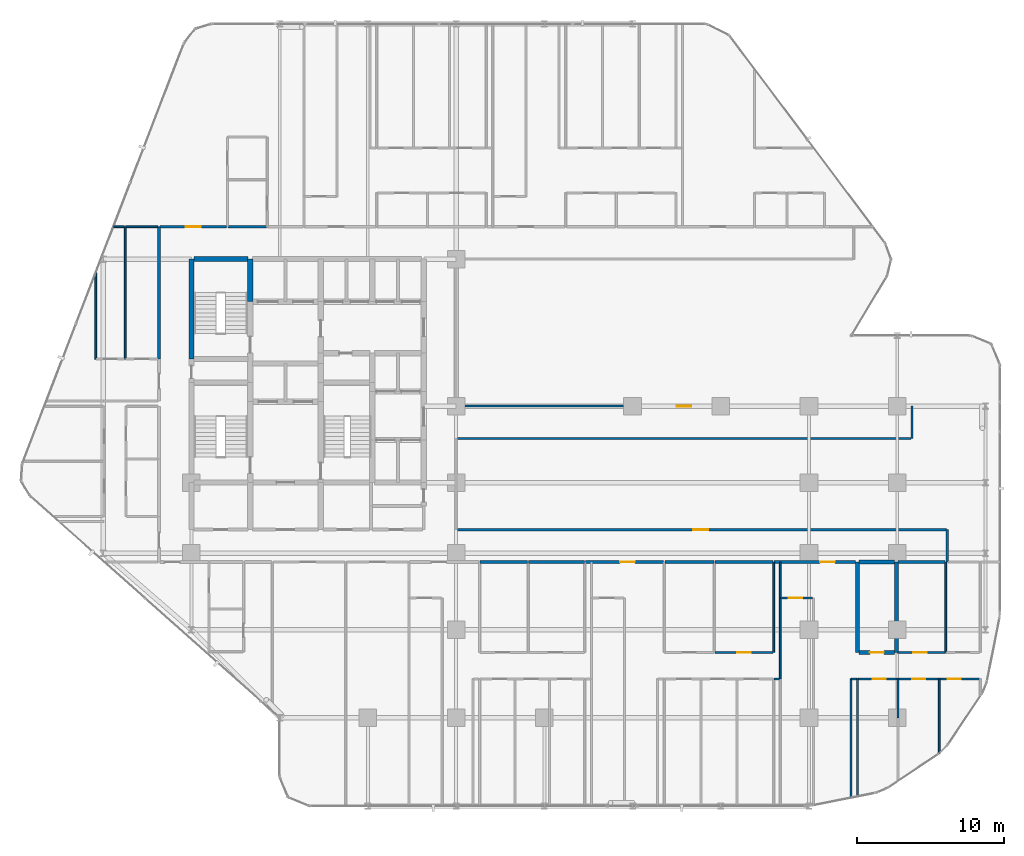
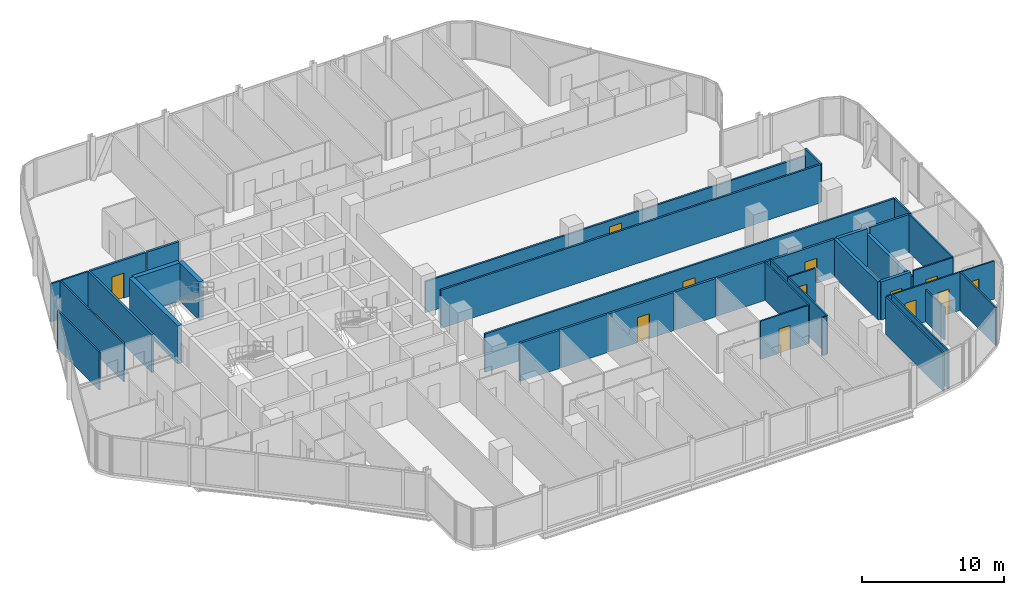
# One storey, part 29 of 34: 40 walls, 12 doors, 12 openings.
"""IFC4 building model written with IfcOpenShell, lengths in metres."""

from ifc_helpers import new_model, si_unit, direction, frame, frame_2d, origin, place, context, subcontext, project, spatial, rectangle, extrude, material, layer, layer_set, type_object, element, fill, save


model = new_model("IFC4")

# Units and contexts
model_context = context("Model", 3, precision=1e-05, world=origin(), true_north=direction((0.0, 1.0)))
body_context = subcontext(model_context, "Body", "Model", "MODEL_VIEW")
ifc_project = project(units=[si_unit("LENGTHUNIT", "METRE"), si_unit("AREAUNIT", "SQUARE_METRE"), si_unit("VOLUMEUNIT", "CUBIC_METRE"), si_unit("PLANEANGLEUNIT", "RADIAN"), si_unit("MASSUNIT", "GRAM", prefix="KILO")], contexts=[model_context])

# Site, building, storey
site_placement = place(None, origin())
site = spatial("IfcSite", under=ifc_project, at=site_placement, CompositionType="ELEMENT")
building_placement = place(site_placement, origin())
building = spatial("IfcBuilding", under=site, at=building_placement, Name="Keshet Zoharim Tower", CompositionType="ELEMENT")
storey_placement = place(building_placement, frame((0.0, 0.0, 77.5)))
storey = spatial("IfcBuildingStorey", under=building, at=storey_placement, Name="L18", CompositionType="ELEMENT", Elevation=77.5)

# Walls
ifc_material_1 = material(Name="Gypsum Plasterboard", Category="gypsum")
ifc_layer_1 = layer(ifc_material_1, 0.14990234375)
ifc_layer_set_1 = layer_set([ifc_layer_1], Name="Gypsum Plasterboard")
wall_type_1 = type_object("IfcWallType", Name="WL-CLIN-150", PredefinedType="STANDARD", material=ifc_layer_set_1)
wall_1_placement = place(storey_placement, frame((64.0, 25.699951171875, 0.0), z_axis=(0.0, 0.0, 1.0), x_axis=(0.0, 1.0, 0.0)))
element("IfcWall", 1, at=wall_1_placement, inside=storey, type_object=wall_type_1, Name="L18 Interior Wall 120", PredefinedType="STANDARD", context=body_context, shape_type="SweptSolid", body=[
    extrude(rectangle(XDim=2.199951171875, YDim=0.14990234375, at=frame_2d((1.10009765625, 0.0))), origin(), (0.0, 0.0, 1.0), 3.280029296875),
])
wall_2_placement = place(storey_placement, frame((66.39990234375, 17.31005859375, 0.0), z_axis=(0.0, 0.0, 1.0), x_axis=(0.0, 1.0, 0.0)))
element("IfcWall", 2, at=wall_2_placement, inside=storey, type_object=wall_type_1, Name="L18 Interior Wall 123", PredefinedType="STANDARD", context=body_context, shape_type="SweptSolid", body=[
    extrude(rectangle(XDim=2.18994140625, YDim=0.14990234375, at=frame_2d((1.094970703125, 0.0))), origin(), (0.0, 0.0, 1.0), 3.280029296875),
])

# Wall, opening, door
wall_3_placement = place(storey_placement, frame((33.070068359375, 19.5, 0.0), z_axis=(0.0, 0.0, 1.0), x_axis=(1.0, 0.0, 0.0)))
wall_3 = element("IfcWall", 3, at=wall_3_placement, inside=storey, type_object=wall_type_1, Name="L18 Interior Wall 167", PredefinedType="STANDARD", context=body_context, shape_type="SweptSolid", body=[
    extrude(rectangle(XDim=33.27001953125, YDim=0.14990234375, at=frame_2d((16.635009765625, 0.0))), origin(), (0.0, 0.0, 1.0), 3.280029296875),
])
opening_1_placement = place(wall_3_placement, frame((16.06494140625, 0.0, 0.0)))
opening_1 = element("IfcOpeningElement", 4, at=opening_1_placement, cuts=wall_3, Name="Opening D-F310", PredefinedType="OPENING", context=body_context, shape_type="SweptSolid", body=[
    extrude(rectangle(XDim=1.0, YDim=2.14990234375, at=frame_2d((0.5, 1.074951171875))), frame((0.0, 0.0849609375, 0.0), z_axis=(0.0, -1.0, 0.0), x_axis=(1.0, 0.0, 0.0)), (0.0, 0.0, 1.0), 0.169921875),
])
ifc_material_2 = material(Name="Hardwood Timber", Category="wood")
door_type_1 = type_object("IfcDoorType", Name="DR-FD30-100", OperationType="NOTDEFINED", PredefinedType="DOOR", material=ifc_material_2)
door_1_placement = place(opening_1_placement, origin())
door_1 = element("IfcDoor", 5, at=door_1_placement, inside=storey, type_object=door_type_1, Name="L18 North East Residents Services Suite Door 1", OperationType="SINGLE_SWING_LEFT", OverallHeight=2.14990234375, OverallWidth=1.0, PredefinedType="DOOR", context=body_context, shape_type="SweptSolid", body=[
    extrude(rectangle(XDim=1.0, YDim=2.14990234375, at=frame_2d((0.5, 1.074951171875))), frame((0.0, 0.02490234375, 0.0), z_axis=(0.0, -1.0, 0.0), x_axis=(1.0, 0.0, 0.0)), (0.0, 0.0, 1.0), 0.050048828125),
])
fill(opening_1, door_1)

# Wall
wall_4_placement = place(storey_placement, frame((33.070068359375, 25.699951171875, 0.0), z_axis=(0.0, 0.0, 1.0), x_axis=(1.0, 0.0, 0.0)))
element("IfcWall", 6, at=wall_4_placement, inside=storey, type_object=wall_type_1, Name="L18 Interior Wall 179", PredefinedType="STANDARD", context=body_context, shape_type="SweptSolid", body=[
    extrude(rectangle(XDim=30.869873046875, YDim=0.14990234375, at=frame_2d((15.43505859375, 0.0))), origin(), (0.0, 0.0, 1.0), 3.280029296875),
])

# Wall, opening, door
wall_5_placement = place(storey_placement, frame((33.070068359375, 27.89990234375, 0.0), z_axis=(0.0, 0.0, 1.0), x_axis=(1.0, 0.0, 0.0)))
wall_5 = element("IfcWall", 7, at=wall_5_placement, inside=storey, type_object=wall_type_1, Name="L18 Interior Wall 182", PredefinedType="STANDARD", context=body_context, shape_type="SweptSolid", body=[
    extrude(rectangle(XDim=30.869873046875, YDim=0.14990234375, at=frame_2d((15.43505859375, 0.0))), origin(), (0.0, 0.0, 1.0), 2.679931640625),
])
opening_2_placement = place(wall_5_placement, frame((14.93505859375, 0.0, 0.0)))
opening_2 = element("IfcOpeningElement", 8, at=opening_2_placement, cuts=wall_5, Name="Opening D-F310", PredefinedType="OPENING", context=body_context, shape_type="SweptSolid", body=[
    extrude(rectangle(XDim=1.0, YDim=2.14990234375, at=frame_2d((0.5, 1.074951171875))), frame((0.0, 0.0849609375, 0.0), z_axis=(0.0, -1.0, 0.0), x_axis=(1.0, 0.0, 0.0)), (0.0, 0.0, 1.0), 0.169921875),
])
door_2_placement = place(opening_2_placement, origin())
door_2 = element("IfcDoor", 9, at=door_2_placement, inside=storey, type_object=door_type_1, Name="L18 North East Residents Services Suite Door 2", OperationType="SINGLE_SWING_LEFT", OverallHeight=2.14990234375, OverallWidth=1.0, PredefinedType="DOOR", context=body_context, shape_type="SweptSolid", body=[
    extrude(rectangle(XDim=1.0, YDim=2.14990234375, at=frame_2d((0.5, 1.074951171875))), frame((0.0, 0.02490234375, 0.0), z_axis=(0.0, -1.0, 0.0), x_axis=(1.0, 0.0, 0.0)), (0.0, 0.0, 1.0), 0.050048828125),
])
fill(opening_2, door_2)

# Walls
ifc_material_3 = material(Name="Concrete C60/75", Category="concrete")
ifc_layer_2 = layer(ifc_material_3, 0.35009765625)
ifc_layer_set_2 = layer_set([ifc_layer_2], Name="Concrete C60/75")
wall_type_2 = type_object("IfcWallType", Name="WL-CORE-350", PredefinedType="SHEAR", material=ifc_layer_set_2)
wall_6_placement = place(storey_placement, frame((15.0, 31.10009765625, 0.0), z_axis=(0.0, 0.0, 1.0), x_axis=(0.0, 1.0, 0.0)))
element("IfcWall", 10, at=wall_6_placement, inside=storey, type_object=wall_type_2, Name="L18 Core Shear Wall 014", PredefinedType="SHEAR", context=body_context, shape_type="SweptSolid", body=[
    extrude(rectangle(XDim=6.7998046875, YDim=0.35009765625, at=frame_2d((3.39990234375, 0.0))), origin(), (0.0, 0.0, 1.0), 3.280029296875),
])
wall_7_placement = place(storey_placement, frame((19.0, 35.0, 0.0), z_axis=(0.0, 0.0, 1.0), x_axis=(0.0, 1.0, 0.0)))
element("IfcWall", 11, at=wall_7_placement, inside=storey, type_object=wall_type_2, Name="L18 Core Shear Wall 025", PredefinedType="SHEAR", context=body_context, shape_type="SweptSolid", body=[
    extrude(rectangle(XDim=2.89990234375, YDim=0.35009765625, at=frame_2d((1.449951171875, 0.0))), origin(), (0.0, 0.0, 1.0), 3.280029296875),
])
wall_8_placement = place(storey_placement, frame((15.159912109375, 37.89990234375, 0.0), z_axis=(0.0, 0.0, 1.0), x_axis=(1.0, 0.0, 0.0)))
element("IfcWall", 12, at=wall_8_placement, inside=storey, type_object=wall_type_2, Name="L18 Core Shear Wall 196", PredefinedType="SHEAR", context=body_context, shape_type="SweptSolid", body=[
    extrude(rectangle(XDim=3.68017578125, YDim=0.35009765625, at=frame_2d((1.840087890625, 0.0))), origin(), (0.0, 0.0, 1.0), 3.280029296875),
])
ifc_layer_3 = layer(ifc_material_1, 0.179931640625)
ifc_layer_set_3 = layer_set([ifc_layer_3], Name="Gypsum Plasterboard")
wall_type_3 = type_object("IfcWallType", Name="WL-CORR-180", PredefinedType="STANDARD", material=ifc_layer_set_3)
wall_9_placement = place(storey_placement, frame((12.800048828125, 31.090087890625, 0.0), z_axis=(0.0, 0.0, 1.0), x_axis=(0.0, 1.0, 0.0)))
element("IfcWall", 13, at=wall_9_placement, inside=storey, type_object=wall_type_3, Name="L18 Interior Wall 010", PredefinedType="STANDARD", context=body_context, shape_type="SweptSolid", body=[
    extrude(rectangle(XDim=9.010009765625, YDim=0.179931640625, at=frame_2d((4.5048828125, 0.0))), origin(), (0.0, 0.0, 1.0), 3.280029296875),
])
wall_10_placement = place(storey_placement, frame((34.635009765625, 17.300048828125, 0.0), z_axis=(0.0, 0.0, 1.0), x_axis=(1.0, 0.0, 0.0)))
element("IfcWall", 14, at=wall_10_placement, inside=storey, type_object=wall_type_3, Name="L18 Interior Wall 153", PredefinedType="STANDARD", context=body_context, shape_type="SweptSolid", body=[
    extrude(rectangle(XDim=3.2080078125, YDim=0.179931640625, at=frame_2d((1.60400390625, 0.0))), origin(), (0.0, 0.0, 1.0), 3.280029296875),
])
wall_11_placement = place(storey_placement, frame((37.93310546875, 17.300048828125, 0.0), z_axis=(0.0, 0.0, 1.0), x_axis=(1.0, 0.0, 0.0)))
element("IfcWall", 15, at=wall_11_placement, inside=storey, type_object=wall_type_3, Name="L18 Interior Wall 154", PredefinedType="STANDARD", context=body_context, shape_type="SweptSolid", body=[
    extrude(rectangle(XDim=3.781982421875, YDim=0.179931640625, at=frame_2d((1.89111328125, 0.0))), origin(), (0.0, 0.0, 1.0), 3.280029296875),
])

# Wall, opening, door
wall_12_placement = place(storey_placement, frame((41.804931640625, 17.300048828125, 0.0), z_axis=(0.0, 0.0, 1.0), x_axis=(1.0, 0.0, 0.0)))
wall_12 = element("IfcWall", 16, at=wall_12_placement, inside=storey, type_object=wall_type_3, Name="L18 Interior Wall 155", PredefinedType="STANDARD", context=body_context, shape_type="SweptSolid", body=[
    extrude(rectangle(XDim=5.300048828125, YDim=0.179931640625, at=frame_2d((2.64990234375, 0.0))), origin(), (0.0, 0.0, 1.0), 3.280029296875),
])
opening_3_placement = place(wall_12_placement, frame((2.35009765625, 0.0, 0.0)))
opening_3 = element("IfcOpeningElement", 17, at=opening_3_placement, cuts=wall_12, Name="Opening D-F310", PredefinedType="OPENING", context=body_context, shape_type="SweptSolid", body=[
    extrude(rectangle(XDim=1.0, YDim=2.14990234375, at=frame_2d((0.5, 1.074951171875))), frame((0.0, 0.10009765625, 0.0), z_axis=(0.0, -1.0, 0.0), x_axis=(1.0, 0.0, 0.0)), (0.0, 0.0, 1.0), 0.199951171875),
])
door_3_placement = place(opening_3_placement, origin())
door_3 = element("IfcDoor", 18, at=door_3_placement, inside=storey, type_object=door_type_1, Name="Apartment 1803 Entrance Door", OperationType="SINGLE_SWING_LEFT", OverallHeight=2.14990234375, OverallWidth=1.0, PredefinedType="DOOR", context=body_context, shape_type="SweptSolid", body=[
    extrude(rectangle(XDim=1.0, YDim=2.14990234375, at=frame_2d((0.5, 1.074951171875))), frame((0.0, 0.02490234375, 0.0), z_axis=(0.0, -1.0, 0.0), x_axis=(1.0, 0.0, 0.0)), (0.0, 0.0, 1.0), 0.050048828125),
])
fill(opening_3, door_3)

# Walls
wall_13_placement = place(storey_placement, frame((47.195068359375, 17.300048828125, 0.0), z_axis=(0.0, 0.0, 1.0), x_axis=(1.0, 0.0, 0.0)))
element("IfcWall", 19, at=wall_13_placement, inside=storey, type_object=wall_type_3, Name="L18 Interior Wall 156", PredefinedType="STANDARD", context=body_context, shape_type="SweptSolid", body=[
    extrude(rectangle(XDim=3.327880859375, YDim=0.179931640625, at=frame_2d((1.6640625, 0.0))), origin(), (0.0, 0.0, 1.0), 3.280029296875),
])
wall_14_placement = place(storey_placement, frame((50.613037109375, 17.300048828125, 0.0), z_axis=(0.0, 0.0, 1.0), x_axis=(1.0, 0.0, 0.0)))
element("IfcWall", 20, at=wall_14_placement, inside=storey, type_object=wall_type_3, Name="L18 Interior Wall 157", PredefinedType="STANDARD", context=body_context, shape_type="SweptSolid", body=[
    extrude(rectangle(XDim=3.921875, YDim=0.179931640625, at=frame_2d((1.9609375, 0.0))), origin(), (0.0, 0.0, 1.0), 3.280029296875),
])

# Wall, opening, door
wall_15_placement = place(storey_placement, frame((54.625, 17.300048828125, 0.0), z_axis=(0.0, 0.0, 1.0), x_axis=(1.0, 0.0, 0.0)))
wall_15 = element("IfcWall", 21, at=wall_15_placement, inside=storey, type_object=wall_type_3, Name="L18 Interior Wall 158", PredefinedType="STANDARD", context=body_context, shape_type="SweptSolid", body=[
    extrude(rectangle(XDim=5.544921875, YDim=0.179931640625, at=frame_2d((2.7724609375, 0.0))), origin(), (0.0, 0.0, 1.0), 3.280029296875),
])
opening_4_placement = place(wall_15_placement, frame((3.137939453125, 0.0, 0.0)))
opening_4 = element("IfcOpeningElement", 22, at=opening_4_placement, cuts=wall_15, Name="Opening D-F310", PredefinedType="OPENING", context=body_context, shape_type="SweptSolid", body=[
    extrude(rectangle(XDim=1.0, YDim=2.14990234375, at=frame_2d((0.5, 1.074951171875))), frame((0.0, 0.10009765625, 0.0), z_axis=(0.0, -1.0, 0.0), x_axis=(1.0, 0.0, 0.0)), (0.0, 0.0, 1.0), 0.199951171875),
])
door_4_placement = place(opening_4_placement, origin())
door_4 = element("IfcDoor", 23, at=door_4_placement, inside=storey, type_object=door_type_1, Name="Apartment 1804 Entrance Door", OperationType="SINGLE_SWING_RIGHT", OverallHeight=2.14990234375, OverallWidth=1.0, PredefinedType="DOOR", context=body_context, shape_type="SweptSolid", body=[
    extrude(rectangle(XDim=1.0, YDim=2.14990234375, at=frame_2d((0.5, 1.074951171875))), frame((0.0, 0.02490234375, 0.0), z_axis=(0.0, -1.0, 0.0), x_axis=(1.0, 0.0, 0.0)), (0.0, 0.0, 1.0), 0.050048828125),
])
fill(opening_4, door_4)

# Wall
wall_16_placement = place(storey_placement, frame((63.0458984375, 17.300048828125, 0.0), z_axis=(0.0, 0.0, 1.0), x_axis=(1.0, 0.0, 0.0)))
element("IfcWall", 24, at=wall_16_placement, inside=storey, type_object=wall_type_3, Name="L18 Interior Wall 160", PredefinedType="STANDARD", context=body_context, shape_type="SweptSolid", body=[
    extrude(rectangle(XDim=3.2021484375, YDim=0.179931640625, at=frame_2d((1.60107421875, 0.0))), origin(), (0.0, 0.0, 1.0), 3.280029296875),
])

# Wall, opening, door
wall_17_placement = place(storey_placement, frame((12.875, 40.10009765625, 0.0), z_axis=(0.0, 0.0, 1.0), x_axis=(1.0, 0.0, 0.0)))
wall_17 = element("IfcWall", 25, at=wall_17_placement, inside=storey, type_object=wall_type_3, Name="L18 Interior Wall 201", PredefinedType="STANDARD", context=body_context, shape_type="SweptSolid", body=[
    extrude(rectangle(XDim=4.52001953125, YDim=0.179931640625, at=frame_2d((2.260009765625, 0.0))), origin(), (0.0, 0.0, 1.0), 3.280029296875),
])
opening_5_placement = place(wall_17_placement, frame((1.7451171875, 0.0, 0.0)))
opening_5 = element("IfcOpeningElement", 26, at=opening_5_placement, cuts=wall_17, Name="Opening D-F310", PredefinedType="OPENING", context=body_context, shape_type="SweptSolid", body=[
    extrude(rectangle(XDim=1.0, YDim=2.14990234375, at=frame_2d((0.5, 1.074951171875))), frame((0.0, 0.10009765625, 0.0), z_axis=(0.0, -1.0, 0.0), x_axis=(1.0, 0.0, 0.0)), (0.0, 0.0, 1.0), 0.199951171875),
])
door_5_placement = place(opening_5_placement, origin())
door_5 = element("IfcDoor", 27, at=door_5_placement, inside=storey, type_object=door_type_1, Name="Apartment 1805 Entrance Door", OperationType="SINGLE_SWING_LEFT", OverallHeight=2.14990234375, OverallWidth=1.0, PredefinedType="DOOR", context=body_context, shape_type="SweptSolid", body=[
    extrude(rectangle(XDim=1.0, YDim=2.14990234375, at=frame_2d((0.5, 1.074951171875))), frame((0.0, 0.02490234375, 0.0), z_axis=(0.0, -1.0, 0.0), x_axis=(1.0, 0.0, 0.0)), (0.0, 0.0, 1.0), 0.050048828125),
])
fill(opening_5, door_5)

# Walls
wall_18_placement = place(storey_placement, frame((17.485107421875, 40.10009765625, 0.0), z_axis=(0.0, 0.0, 1.0), x_axis=(1.0, 0.0, 0.0)))
element("IfcWall", 28, at=wall_18_placement, inside=storey, type_object=wall_type_3, Name="L18 Interior Wall 202", PredefinedType="STANDARD", context=body_context, shape_type="SweptSolid", body=[
    extrude(rectangle(XDim=2.60986328125, YDim=0.179931640625, at=frame_2d((1.304931640625, 0.0))), origin(), (0.0, 0.0, 1.0), 3.280029296875),
])
ifc_material_4 = material(Name="Concrete C50/60", Category="concrete")
ifc_layer_4 = layer(ifc_material_4, 0.25)
ifc_layer_set_4 = layer_set([ifc_layer_4], Name="Concrete C50/60")
wall_type_4 = type_object("IfcWallType", Name="WL-MAMAD-250", PredefinedType="STANDARD", material=ifc_layer_set_4)
wall_19_placement = place(storey_placement, frame((60.300048828125, 11.14990234375, 0.0), z_axis=(0.0, 0.0, 1.0), x_axis=(0.0, 1.0, 0.0)))
element("IfcWall", 29, at=wall_19_placement, inside=storey, type_object=wall_type_4, Name="L18 Interior Wall 117", PredefinedType="STANDARD", context=body_context, shape_type="SweptSolid", body=[
    extrude(rectangle(XDim=6.150146484375, YDim=0.25, at=frame_2d((3.0751953125, 0.0))), origin(), (0.0, 0.0, 1.0), 3.280029296875),
])
wall_20_placement = place(storey_placement, frame((62.949951171875, 11.14990234375, 0.0), z_axis=(0.0, 0.0, 1.0), x_axis=(0.0, 1.0, 0.0)))
element("IfcWall", 30, at=wall_20_placement, inside=storey, type_object=wall_type_4, Name="L18 Interior Wall 118", PredefinedType="STANDARD", context=body_context, shape_type="SweptSolid", body=[
    extrude(rectangle(XDim=6.150146484375, YDim=0.25, at=frame_2d((3.0751953125, 0.0))), origin(), (0.0, 0.0, 1.0), 2.780029296875),
])

# Wall, opening, door
wall_21_placement = place(storey_placement, frame((60.389892578125, 11.14990234375, 0.0), z_axis=(0.0, 0.0, 1.0), x_axis=(1.0, 0.0, 0.0)))
wall_21 = element("IfcWall", 31, at=wall_21_placement, inside=storey, type_object=wall_type_4, Name="L18 Interior Wall 138", PredefinedType="STANDARD", context=body_context, shape_type="SweptSolid", body=[
    extrude(rectangle(XDim=2.43603515625, YDim=0.25, at=frame_2d((1.218017578125, 0.0))), origin(), (0.0, 0.0, 1.0), 3.280029296875),
])
opening_6_placement = place(wall_21_placement, frame((0.742919921875, 0.0, 0.0)))
opening_6 = element("IfcOpeningElement", 32, at=opening_6_placement, cuts=wall_21, Name="Opening D-F695", PredefinedType="OPENING", context=body_context, shape_type="SweptSolid", body=[
    extrude(rectangle(XDim=0.949951171875, YDim=2.14990234375, at=frame_2d((0.47509765625, 1.074951171875))), frame((0.0, 0.135009765625, 0.0), z_axis=(0.0, -1.0, 0.0), x_axis=(1.0, 0.0, 0.0)), (0.0, 0.0, 1.0), 0.27001953125),
])
door_type_2 = type_object("IfcDoorType", Name="DR-FD60-095", OperationType="NOTDEFINED", PredefinedType="DOOR", material=ifc_material_2)
door_6_placement = place(opening_6_placement, origin())
door_6 = element("IfcDoor", 33, at=door_6_placement, inside=storey, type_object=door_type_2, Name="Apartment 1804 Study and Shelter Room Door", OperationType="SINGLE_SWING_LEFT", OverallHeight=2.14990234375, OverallWidth=0.949951171875, PredefinedType="DOOR", context=body_context, shape_type="SweptSolid", body=[
    extrude(rectangle(XDim=0.949951171875, YDim=2.14990234375, at=frame_2d((0.47509765625, 1.074951171875))), frame((0.0, 0.02490234375, 0.0), z_axis=(0.0, -1.0, 0.0), x_axis=(1.0, 0.0, 0.0)), (0.0, 0.0, 1.0), 0.050048828125),
])
fill(opening_6, door_6)

# Walls
wall_22_placement = place(storey_placement, frame((60.389892578125, 17.300048828125, 0.0), z_axis=(0.0, 0.0, 1.0), x_axis=(1.0, 0.0, 0.0)))
element("IfcWall", 34, at=wall_22_placement, inside=storey, type_object=wall_type_4, Name="L18 Interior Wall 159", PredefinedType="STANDARD", context=body_context, shape_type="SweptSolid", body=[
    extrude(rectangle(XDim=2.43603515625, YDim=0.25, at=frame_2d((1.218017578125, 0.0))), origin(), (0.0, 0.0, 1.0), 3.280029296875),
])
ifc_layer_5 = layer(ifc_material_1, 0.1201171875)
ifc_layer_set_5 = layer_set([ifc_layer_5], Name="Gypsum Plasterboard")
wall_type_5 = type_object("IfcWallType", Name="WL-PART-120", PredefinedType="PARTITIONING", material=ifc_layer_set_5)
wall_23_placement = place(storey_placement, frame((8.5, 31.090087890625, 0.0), z_axis=(0.0, 0.0, 1.0), x_axis=(0.0, 1.0, 0.0)))
element("IfcWall", 35, at=wall_23_placement, inside=storey, type_object=wall_type_5, Name="L18 Interior Wall 001", PredefinedType="PARTITIONING", context=body_context, shape_type="SweptSolid", body=[
    extrude(rectangle(XDim=5.89990234375, YDim=0.1201171875, at=frame_2d((2.949951171875, 0.0))), origin(), (0.0, 0.0, 1.0), 3.280029296875),
])
wall_24_placement = place(storey_placement, frame((55.050048828125, 9.35009765625, 0.0), z_axis=(0.0, 0.0, 1.0), x_axis=(0.0, 1.0, 0.0)))
element("IfcWall", 36, at=wall_24_placement, inside=storey, type_object=wall_type_5, Name="L18 Interior Wall 109", PredefinedType="PARTITIONING", context=body_context, shape_type="SweptSolid", body=[
    extrude(rectangle(XDim=5.5, YDim=0.1201171875, at=frame_2d((2.75, 0.0))), origin(), (0.0, 0.0, 1.0), 3.280029296875),
])
wall_25_placement = place(storey_placement, frame((55.050048828125, 14.85009765625, 0.0), z_axis=(0.0, 0.0, 1.0), x_axis=(0.0, 1.0, 0.0)))
element("IfcWall", 37, at=wall_25_placement, inside=storey, type_object=wall_type_5, Name="L18 Interior Wall 110", PredefinedType="PARTITIONING", context=body_context, shape_type="SweptSolid", body=[
    extrude(rectangle(XDim=2.449951171875, YDim=0.1201171875, at=frame_2d((1.22509765625, 0.0))), origin(), (0.0, 0.0, 1.0), 3.280029296875),
])
wall_26_placement = place(storey_placement, frame((59.85009765625, 1.277099609375, 0.0), z_axis=(0.0, 0.0, 1.0), x_axis=(0.0, 1.0, 0.0)))
element("IfcWall", 38, at=wall_26_placement, inside=storey, type_object=wall_type_5, Name="L18 Interior Wall 114", PredefinedType="PARTITIONING", context=body_context, shape_type="SweptSolid", body=[
    extrude(rectangle(XDim=8.072998046875, YDim=0.1201171875, at=frame_2d((4.03662109375, 0.0))), origin(), (0.0, 0.0, 1.0), 3.280029296875),
])
wall_27_placement = place(storey_placement, frame((60.300048828125, 1.365966796875, 0.0), z_axis=(0.0, 0.0, 1.0), x_axis=(0.0, 1.0, 0.0)))
element("IfcWall", 39, at=wall_27_placement, inside=storey, type_object=wall_type_5, Name="L18 Interior Wall 116", PredefinedType="PARTITIONING", context=body_context, shape_type="SweptSolid", body=[
    extrude(rectangle(XDim=7.984130859375, YDim=0.1201171875, at=frame_2d((3.9921875, 0.0))), origin(), (0.0, 0.0, 1.0), 3.280029296875),
])
wall_28_placement = place(storey_placement, frame((65.85009765625, 4.2890625, 0.0), z_axis=(0.0, 0.0, 1.0), x_axis=(0.0, 1.0, 0.0)))
element("IfcWall", 40, at=wall_28_placement, inside=storey, type_object=wall_type_5, Name="L18 Interior Wall 121", PredefinedType="PARTITIONING", context=body_context, shape_type="SweptSolid", body=[
    extrude(rectangle(XDim=5.06103515625, YDim=0.1201171875, at=frame_2d((2.530517578125, 0.0))), origin(), (0.0, 0.0, 1.0), 3.280029296875),
])
for number, where, z_axis, x_axis, name in (
    (41, (54.625, 9.35009765625, 0.0), (0.0, 0.0, 1.0), (1.0, 0.0, 0.0), "L18 Interior Wall 131"),
    (42, (59.875, 9.35009765625, 0.0), (0.0, 0.0, 1.0), (1.0, 0.0, 0.0), "L18 Interior Wall 132"),
):
    element("IfcWall", number, at=place(storey_placement, frame(where, z_axis=z_axis, x_axis=x_axis)), inside=storey, type_object=wall_type_5, Name=name, PredefinedType="PARTITIONING", context=body_context, shape_type="SweptSolid", body=[
        extrude(rectangle(XDim=0.360107421875, YDim=0.1201171875, at=frame_2d((0.18017578125, 0.0))), origin(), (0.0, 0.0, 1.0), 3.280029296875),
    ])

# Wall, openings, doors
wall_29_placement = place(storey_placement, frame((60.324951171875, 9.35009765625, 0.0), z_axis=(0.0, 0.0, 1.0), x_axis=(1.0, 0.0, 0.0)))
wall_29 = element("IfcWall", 43, at=wall_29_placement, inside=storey, type_object=wall_type_5, Name="L18 Interior Wall 133", PredefinedType="PARTITIONING", context=body_context, shape_type="SweptSolid", body=[
    extrude(rectangle(XDim=8.260986328125, YDim=0.1201171875, at=frame_2d((4.13037109375, 0.0))), origin(), (0.0, 0.0, 1.0), 3.280029296875),
])
opening_7_placement = place(wall_29_placement, frame((0.9990234375, 0.0, 0.0)))
opening_7 = element("IfcOpeningElement", 44, at=opening_7_placement, cuts=wall_29, Name="Opening D-IN90", PredefinedType="OPENING", context=body_context, shape_type="SweptSolid", body=[
    extrude(rectangle(XDim=0.89990234375, YDim=2.14990234375, at=frame_2d((0.449951171875, 1.074951171875))), frame((0.0, 0.070068359375, 0.0), z_axis=(0.0, -1.0, 0.0), x_axis=(1.0, 0.0, 0.0)), (0.0, 0.0, 1.0), 0.14013671875),
])
opening_8_placement = place(wall_29_placement, frame((3.680908203125, 0.0, 0.0)))
opening_8 = element("IfcOpeningElement", 45, at=opening_8_placement, cuts=wall_29, Name="Opening D-IN90", PredefinedType="OPENING", context=body_context, shape_type="SweptSolid", body=[
    extrude(rectangle(XDim=0.89990234375, YDim=2.14990234375, at=frame_2d((0.449951171875, 1.074951171875))), frame((0.0, 0.070068359375, 0.0), z_axis=(0.0, -1.0, 0.0), x_axis=(1.0, 0.0, 0.0)), (0.0, 0.0, 1.0), 0.14013671875),
])
opening_9_placement = place(wall_29_placement, frame((6.096923828125, 0.0, 0.0)))
opening_9 = element("IfcOpeningElement", 46, at=opening_9_placement, cuts=wall_29, Name="Opening D-IN90", PredefinedType="OPENING", context=body_context, shape_type="SweptSolid", body=[
    extrude(rectangle(XDim=0.89990234375, YDim=2.14990234375, at=frame_2d((0.449951171875, 1.074951171875))), frame((0.0, 0.070068359375, 0.0), z_axis=(0.0, -1.0, 0.0), x_axis=(1.0, 0.0, 0.0)), (0.0, 0.0, 1.0), 0.14013671875),
])
door_type_3 = type_object("IfcDoorType", Name="DR-INT-090", OperationType="NOTDEFINED", PredefinedType="DOOR", material=ifc_material_2)
door_7_placement = place(opening_7_placement, origin())
door_7 = element("IfcDoor", 47, at=door_7_placement, inside=storey, type_object=door_type_3, Name="Apartment 1804 Bedroom 1 Door", OperationType="SINGLE_SWING_RIGHT", OverallHeight=2.14990234375, OverallWidth=0.89990234375, PredefinedType="DOOR", context=body_context, shape_type="SweptSolid", body=[
    extrude(rectangle(XDim=0.89990234375, YDim=2.14990234375, at=frame_2d((0.449951171875, 1.074951171875))), frame((0.0, 0.02490234375, 0.0), z_axis=(0.0, -1.0, 0.0), x_axis=(1.0, 0.0, 0.0)), (0.0, 0.0, 1.0), 0.050048828125),
])
fill(opening_7, door_7)
door_8_placement = place(opening_8_placement, origin())
door_8 = element("IfcDoor", 48, at=door_8_placement, inside=storey, type_object=door_type_3, Name="Apartment 1804 Bedroom 2 Door", OperationType="SINGLE_SWING_LEFT", OverallHeight=2.14990234375, OverallWidth=0.89990234375, PredefinedType="DOOR", context=body_context, shape_type="SweptSolid", body=[
    extrude(rectangle(XDim=0.89990234375, YDim=2.14990234375, at=frame_2d((0.449951171875, 1.074951171875))), frame((0.0, 0.02490234375, 0.0), z_axis=(0.0, -1.0, 0.0), x_axis=(1.0, 0.0, 0.0)), (0.0, 0.0, 1.0), 0.050048828125),
])
fill(opening_8, door_8)
door_9_placement = place(opening_9_placement, origin())
door_9 = element("IfcDoor", 49, at=door_9_placement, inside=storey, type_object=door_type_3, Name="Apartment 1804 Bedroom 3 Door", OperationType="SINGLE_SWING_RIGHT", OverallHeight=2.14990234375, OverallWidth=0.89990234375, PredefinedType="DOOR", context=body_context, shape_type="SweptSolid", body=[
    extrude(rectangle(XDim=0.89990234375, YDim=2.14990234375, at=frame_2d((0.449951171875, 1.074951171875))), frame((0.0, 0.02490234375, 0.0), z_axis=(0.0, -1.0, 0.0), x_axis=(1.0, 0.0, 0.0)), (0.0, 0.0, 1.0), 0.050048828125),
])
fill(opening_9, door_9)

# Wall, opening, door
wall_30_placement = place(storey_placement, frame((63.0458984375, 11.14990234375, 0.0), z_axis=(0.0, 0.0, 1.0), x_axis=(1.0, 0.0, 0.0)))
wall_30 = element("IfcWall", 50, at=wall_30_placement, inside=storey, type_object=wall_type_5, Name="L18 Interior Wall 139", PredefinedType="PARTITIONING", context=body_context, shape_type="SweptSolid", body=[
    extrude(rectangle(XDim=3.2021484375, YDim=0.1201171875, at=frame_2d((1.60107421875, 0.0))), origin(), (0.0, 0.0, 1.0), 3.280029296875),
])
opening_10_placement = place(wall_30_placement, frame((1.0439453125, 0.0, 0.0)))
opening_10 = element("IfcOpeningElement", 51, at=opening_10_placement, cuts=wall_30, Name="Opening D-IN90", PredefinedType="OPENING", context=body_context, shape_type="SweptSolid", body=[
    extrude(rectangle(XDim=0.89990234375, YDim=2.14990234375, at=frame_2d((0.449951171875, 1.074951171875))), frame((0.0, 0.070068359375, 0.0), z_axis=(0.0, -1.0, 0.0), x_axis=(1.0, 0.0, 0.0)), (0.0, 0.0, 1.0), 0.14013671875),
])
door_10_placement = place(opening_10_placement, origin())
door_10 = element("IfcDoor", 52, at=door_10_placement, inside=storey, type_object=door_type_3, Name="Apartment 1804 Kitchen Door", OperationType="SINGLE_SWING_RIGHT", OverallHeight=2.14990234375, OverallWidth=0.89990234375, PredefinedType="DOOR", context=body_context, shape_type="SweptSolid", body=[
    extrude(rectangle(XDim=0.89990234375, YDim=2.14990234375, at=frame_2d((0.449951171875, 1.074951171875))), frame((0.0, 0.02490234375, 0.0), z_axis=(0.0, -1.0, 0.0), x_axis=(1.0, 0.0, 0.0)), (0.0, 0.0, 1.0), 0.050048828125),
])
fill(opening_10, door_10)

wall_31_placement = place(storey_placement, frame((55.074951171875, 14.85009765625, 0.0), z_axis=(0.0, 0.0, 1.0), x_axis=(1.0, 0.0, 0.0)))
wall_31 = element("IfcWall", 53, at=wall_31_placement, inside=storey, type_object=wall_type_5, Name="L18 Interior Wall 145", PredefinedType="PARTITIONING", context=body_context, shape_type="SweptSolid", body=[
    extrude(rectangle(XDim=2.16015625, YDim=0.1201171875, at=frame_2d((1.080078125, 0.0))), origin(), (0.0, 0.0, 1.0), 3.280029296875),
])
opening_11_placement = place(wall_31_placement, frame((0.552978515625, 0.0, 0.0)))
opening_11 = element("IfcOpeningElement", 54, at=opening_11_placement, cuts=wall_31, Name="Opening D-IN90", PredefinedType="OPENING", context=body_context, shape_type="SweptSolid", body=[
    extrude(rectangle(XDim=0.89990234375, YDim=2.14990234375, at=frame_2d((0.449951171875, 1.074951171875))), frame((0.0, 0.070068359375, 0.0), z_axis=(0.0, -1.0, 0.0), x_axis=(1.0, 0.0, 0.0)), (0.0, 0.0, 1.0), 0.14013671875),
])
door_11_placement = place(opening_11_placement, origin())
door_11 = element("IfcDoor", 55, at=door_11_placement, inside=storey, type_object=door_type_3, Name="Apartment 1804 Formal Dining Room Door", OperationType="SINGLE_SWING_RIGHT", OverallHeight=2.14990234375, OverallWidth=0.89990234375, PredefinedType="DOOR", context=body_context, shape_type="SweptSolid", body=[
    extrude(rectangle(XDim=0.89990234375, YDim=2.14990234375, at=frame_2d((0.449951171875, 1.074951171875))), frame((0.0, 0.02490234375, 0.0), z_axis=(0.0, -1.0, 0.0), x_axis=(1.0, 0.0, 0.0)), (0.0, 0.0, 1.0), 0.050048828125),
])
fill(opening_11, door_11)

# Walls
wall_32_placement = place(storey_placement, frame((9.701904296875, 40.10009765625, 0.0), z_axis=(0.0, 0.0, 1.0), x_axis=(1.0, 0.0, 0.0)))
element("IfcWall", 56, at=wall_32_placement, inside=storey, type_object=wall_type_5, Name="L18 Interior Wall 199", PredefinedType="PARTITIONING", context=body_context, shape_type="SweptSolid", body=[
    extrude(rectangle(XDim=0.731201171875, YDim=0.1201171875, at=frame_2d((0.36572265625, 0.0))), origin(), (0.0, 0.0, 1.0), 3.280029296875),
])
wall_33_placement = place(storey_placement, frame((63.050048828125, 6.699951171875, 0.0), z_axis=(0.0, 0.0, 1.0), x_axis=(0.0, 1.0, 0.0)))
element("IfcWall", 57, at=wall_33_placement, inside=storey, type_object=wall_type_5, Name="L18 Interior Wall 119 Part 2", PredefinedType="PARTITIONING", context=body_context, shape_type="SweptSolid", body=[
    extrude(rectangle(XDim=2.650146484375, YDim=0.1201171875, at=frame_2d((1.3251953125, 0.0))), origin(), (0.0, 0.0, 1.0), 2.780029296875),
])
ifc_layer_6 = layer(ifc_material_1, 0.1201171875)
ifc_layer_set_6 = layer_set([ifc_layer_6], Name="Gypsum Plasterboard")
wall_type_6 = type_object("IfcWallType", Name="WL-WET-120", PredefinedType="PARTITIONING", material=ifc_layer_set_6)
wall_34_placement = place(storey_placement, frame((10.5, 31.090087890625, 0.0), z_axis=(0.0, 0.0, 1.0), x_axis=(0.0, 1.0, 0.0)))
element("IfcWall", 58, at=wall_34_placement, inside=storey, type_object=wall_type_6, Name="L18 Interior Wall 003", PredefinedType="PARTITIONING", context=body_context, shape_type="SweptSolid", body=[
    extrude(rectangle(XDim=9.010009765625, YDim=0.1201171875, at=frame_2d((4.5048828125, 0.0))), origin(), (0.0, 0.0, 1.0), 3.280029296875),
])
for number, where, z_axis, x_axis, name in (
    (59, (54.60009765625, 11.14990234375, 0.0), (0.0, 0.0, 1.0), (0.0, 1.0, 0.0), "L18 Interior Wall 107"),
    (60, (66.300048828125, 11.14990234375, 0.0), (0.0, 0.0, 1.0), (0.0, 1.0, 0.0), "L18 Interior Wall 122"),
):
    element("IfcWall", number, at=place(storey_placement, frame(where, z_axis=z_axis, x_axis=x_axis)), inside=storey, type_object=wall_type_6, Name=name, PredefinedType="PARTITIONING", context=body_context, shape_type="SweptSolid", body=[
        extrude(rectangle(XDim=6.150146484375, YDim=0.1201171875, at=frame_2d((3.0751953125, 0.0))), origin(), (0.0, 0.0, 1.0), 3.280029296875),
    ])

# Wall, opening, door
wall_35_placement = place(storey_placement, frame((50.613037109375, 11.14990234375, 0.0), z_axis=(0.0, 0.0, 1.0), x_axis=(1.0, 0.0, 0.0)))
wall_35 = element("IfcWall", 61, at=wall_35_placement, inside=storey, type_object=wall_type_6, Name="L18 Interior Wall 137", PredefinedType="PARTITIONING", context=body_context, shape_type="SweptSolid", body=[
    extrude(rectangle(XDim=3.921875, YDim=0.1201171875, at=frame_2d((1.9609375, 0.0))), origin(), (0.0, 0.0, 1.0), 3.280029296875),
])
opening_12_placement = place(wall_35_placement, frame((1.510986328125, 0.0, 0.0)))
opening_12 = element("IfcOpeningElement", 62, at=opening_12_placement, cuts=wall_35, Name="Opening D-WT90", PredefinedType="OPENING", context=body_context, shape_type="SweptSolid", body=[
    extrude(rectangle(XDim=0.89990234375, YDim=2.10009765625, at=frame_2d((0.449951171875, 1.050048828125))), frame((0.0, 0.070068359375, 0.0), z_axis=(0.0, -1.0, 0.0), x_axis=(1.0, 0.0, 0.0)), (0.0, 0.0, 1.0), 0.14013671875),
])
door_type_4 = type_object("IfcDoorType", Name="DR-WET-090", OperationType="NOTDEFINED", PredefinedType="DOOR", material=ifc_material_2)
door_12_placement = place(opening_12_placement, origin())
door_12 = element("IfcDoor", 63, at=door_12_placement, inside=storey, type_object=door_type_4, Name="Apartment 1803 Bathroom Door", OperationType="SINGLE_SWING_RIGHT", OverallHeight=2.10009765625, OverallWidth=0.89990234375, PredefinedType="DOOR", context=body_context, shape_type="SweptSolid", body=[
    extrude(rectangle(XDim=0.89990234375, YDim=2.10009765625, at=frame_2d((0.449951171875, 1.050048828125))), frame((0.0, 0.02490234375, 0.0), z_axis=(0.0, -1.0, 0.0), x_axis=(1.0, 0.0, 0.0)), (0.0, 0.0, 1.0), 0.050048828125),
])
fill(opening_12, door_12)

# Wall
wall_36_placement = place(storey_placement, frame((10.52294921875, 40.10009765625, 0.0), z_axis=(0.0, 0.0, 1.0), x_axis=(1.0, 0.0, 0.0)))
element("IfcWall", 64, at=wall_36_placement, inside=storey, type_object=wall_type_6, Name="L18 Interior Wall 200", PredefinedType="PARTITIONING", context=body_context, shape_type="SweptSolid", body=[
    extrude(rectangle(XDim=2.2021484375, YDim=0.1201171875, at=frame_2d((1.10107421875, 0.0))), origin(), (0.0, 0.0, 1.0), 3.280029296875),
])

save(model, "model.ifc")
